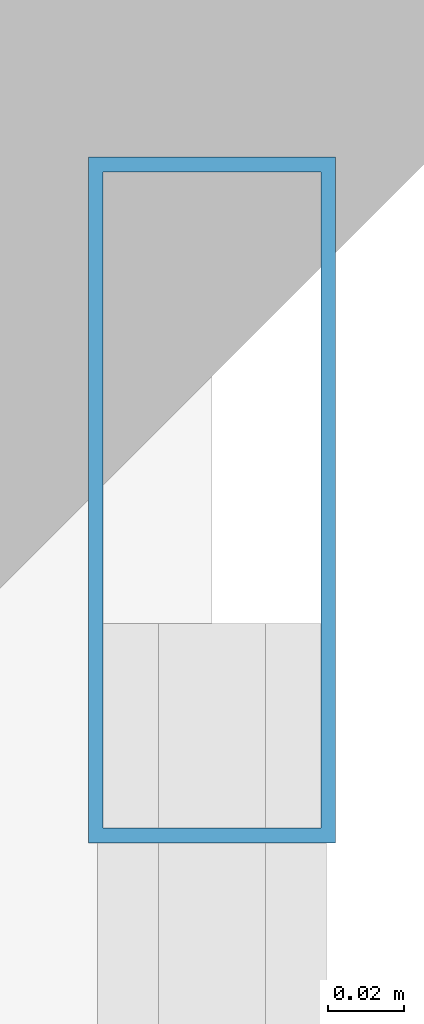
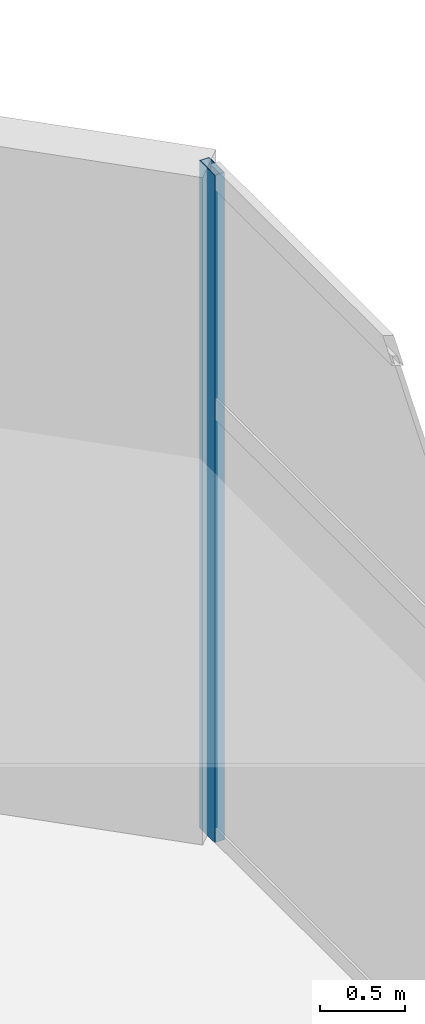
# One storey, part 14 of 23: 1 member, 1 element without a shape of its own.
"""IFC4 building model written with IfcOpenShell, lengths in metres."""

import ifcopenshell
import ifcopenshell.guid

model = None  # the IFC model being written
_history = None  # IfcOwnerHistory: only IFC2X3 demands one
_inside = {}  # id of a spatial element -> (the spatial element, [elements in it])
_under = {}  # id of a project, library or spatial element -> (it, [spatial elements below it])
_declared = {}  # id of a project -> (the project, [libraries it declares])
_typed = {}  # id of a type object -> (the type object, [elements of that type])
_made_of = {}  # id of a material, layer set ... -> (it, [elements and type objects made of it])


def new_model(schema):
    """Start an empty IFC model of exactly this schema.

    Asked for "IFC4X3", IfcOpenShell would pick the latest addendum, in which some entities
    have other attributes; the version numbers below select the first issue.
    IFC2X3 requires an IfcOwnerHistory on every rooted entity: one is made here for all.
    """
    global model, _history
    if schema == "IFC4X3":
        model = ifcopenshell.file(schema_version=(4, 3, 0, 0))
    else:
        model = ifcopenshell.file(schema=schema)
    _inside.clear()
    _under.clear()
    _declared.clear()
    _typed.clear()
    _made_of.clear()
    _history = None
    if model.schema == "IFC2X3":
        org = make("IfcOrganization", Name="unknown")
        user = make(
            "IfcPersonAndOrganization",
            ThePerson=make("IfcPerson", FamilyName="unknown"),
            TheOrganization=org,
        )
        app = make(
            "IfcApplication",
            ApplicationDeveloper=org,
            Version="unknown",
            ApplicationFullName="unknown",
            ApplicationIdentifier="unknown",
        )
        _history = make(
            "IfcOwnerHistory",
            OwningUser=user,
            OwningApplication=app,
            ChangeAction="ADDED",
            CreationDate=0,
        )
    return model


def make(cls, **values):
    """One entity of the class cls with the attributes given. An attribute that is None is left unset."""
    return model.create_entity(
        cls, **{name: value for name, value in values.items() if value is not None}
    )


def rooted(cls, **values):
    """An entity with a GlobalId (a new one), such as an element, a storey or a relation."""
    return make(cls, GlobalId=ifcopenshell.guid.new(), OwnerHistory=_history, **values)


def si_unit(unit_type, name, prefix=None):
    """IfcSIUnit, for example si_unit("LENGTHUNIT", "METRE", prefix="MILLI")."""
    return make("IfcSIUnit", UnitType=unit_type, Prefix=prefix, Name=name)


def assignment(units):
    """IfcUnitAssignment: the units of a project."""
    return None if units is None else make("IfcUnitAssignment", Units=units)


def point(xyz):
    """IfcCartesianPoint."""
    return None if xyz is None else make("IfcCartesianPoint", Coordinates=xyz)


def direction(xyz):
    """IfcDirection."""
    return None if xyz is None else make("IfcDirection", DirectionRatios=xyz)


def frame(location, z_axis=None, x_axis=None):
    """IfcAxis2Placement3D, a coordinate frame: its origin and axes. An axis left out is left unset."""
    return make(
        "IfcAxis2Placement3D",
        Location=point(location),
        Axis=direction(z_axis),
        RefDirection=direction(x_axis),
    )


def frame_2d(location, x_axis=None):
    """IfcAxis2Placement2D, a coordinate frame in the plane: its origin and x axis."""
    return make(
        "IfcAxis2Placement2D", Location=point(location), RefDirection=direction(x_axis)
    )


def origin():
    """The frame at (0, 0, 0) with its axes left unset."""
    return frame((0.0, 0.0, 0.0))


def origin_2d():
    """The frame at (0, 0) in the plane with its x axis left unset."""
    return frame_2d((0.0, 0.0))


def place(relative_to, where):
    """IfcLocalPlacement: puts the frame where relative to a parent placement (None: the world)."""
    return make(
        "IfcLocalPlacement", PlacementRelTo=relative_to, RelativePlacement=where
    )


def context(
    kind, dimensions, precision=None, world=None, true_north=None, identifier=None
):
    """IfcGeometricRepresentationContext, for example the 3D "Model" context."""
    return make(
        "IfcGeometricRepresentationContext",
        ContextIdentifier=identifier,
        ContextType=kind,
        CoordinateSpaceDimension=dimensions,
        Precision=precision,
        WorldCoordinateSystem=world,
        TrueNorth=true_north,
    )


def subcontext(parent, identifier, kind, view, scale=None):
    """IfcGeometricRepresentationSubContext, for example "Body" below "Model"."""
    return make(
        "IfcGeometricRepresentationSubContext",
        ContextIdentifier=identifier,
        ContextType=kind,
        ParentContext=parent,
        TargetScale=scale,
        TargetView=view,
    )


def project(units=None, contexts=None):
    """IfcProject with its units and contexts."""
    return rooted(
        "IfcProject",
        Name="project",
        RepresentationContexts=contexts,
        UnitsInContext=assignment(units),
    )


def spatial(cls, under=None, at=None, **own):
    """A site, building, storey or space (cls), placed at a placement, below another one or the project."""
    s = rooted(cls, ObjectPlacement=at, **own)
    if under is not None:
        _under.setdefault(under.id(), (under, []))[1].append(s)
    return s


def profile(cls, at=None, kind="AREA", **sizes):
    """A parametric profile (cls). Its sizes go by their IFC names, for example OverallWidth=200.0."""
    return make(cls, ProfileType=kind, Position=at, **sizes)


def hollow_rectangle(**sizes):
    """IfcRectangleHollowProfileDef."""
    return profile("IfcRectangleHollowProfileDef", **sizes)


def extrude(swept, where, along, depth):
    """IfcExtrudedAreaSolid: the profile swept, set in the frame where, extruded along a direction by depth."""
    return make(
        "IfcExtrudedAreaSolid",
        SweptArea=swept,
        Position=where,
        ExtrudedDirection=direction(along),
        Depth=depth,
    )


def shape(context_of_items, identifier, shape_type, items):
    """IfcShapeRepresentation: the items that make up one representation, for example the "Body"."""
    return make(
        "IfcShapeRepresentation",
        ContextOfItems=context_of_items,
        RepresentationIdentifier=identifier,
        RepresentationType=shape_type,
        Items=items,
    )


def material(Name=None, Category=None):
    """IfcMaterial."""
    return make("IfcMaterial", Name=Name, Category=Category)


def layer(
    of_material, thickness, ventilated=None, Name=None, Category=None, Priority=None
):
    """IfcMaterialLayer: one layer of a wall or slab, of a material (None: an air gap)."""
    return make(
        "IfcMaterialLayer",
        Material=of_material,
        LayerThickness=thickness,
        IsVentilated=ventilated,
        Name=Name,
        Category=Category,
        Priority=Priority,
    )


def layer_set(layers, Name=None):
    """IfcMaterialLayerSet."""
    return make("IfcMaterialLayerSet", MaterialLayers=layers, LayerSetName=Name)


def material_profile(
    of_material, cross_section, Name=None, Category=None, Priority=None
):
    """IfcMaterialProfile: a cross section and its material."""
    return make(
        "IfcMaterialProfile",
        Name=Name,
        Material=of_material,
        Profile=cross_section,
        Priority=Priority,
        Category=Category,
    )


def profile_set(profiles, Name=None, composite=None):
    """IfcMaterialProfileSet."""
    return make(
        "IfcMaterialProfileSet",
        Name=Name,
        MaterialProfiles=profiles,
        CompositeProfile=composite,
    )


def made_of(thing, what):
    """Note that an element or type object is made of a material, layer set ...; save() writes the relation."""
    if what is not None:
        _made_of.setdefault(what.id(), (what, []))[1].append(thing)
    return thing


def type_object(cls, material=None, **own):
    """A type object (cls), such as IfcWallType, which elements share."""
    return made_of(rooted(cls, **own), material)


def element(
    cls,
    number,
    at=None,
    inside=None,
    cuts=None,
    type_object=None,
    material=None,
    context=None,
    identifier="Body",
    shape_type=None,
    held_by="IfcProductDefinitionShape",
    body=None,
    shapes=None,
    **own,
):
    """One element of the class cls, such as IfcWall. Its Tag is "e" and its number.

    at: its placement. inside: the storey or other place that contains it. cuts: it is an
    opening in that element (IfcRelVoidsElement). A single representation is given by context,
    identifier, shape_type and body (its items); several are given by shapes. held_by: the class
    of the entity that holds the representations. save() writes the other relations.
    """
    e = rooted(cls, Tag="e%d" % number, ObjectPlacement=at, **own)
    if body is not None:
        shapes = [shape(context, identifier, shape_type, body)]
    if shapes is not None:
        e.Representation = make(held_by, Representations=shapes)
    if inside is not None:
        _inside.setdefault(inside.id(), (inside, []))[1].append(e)
    if cuts is not None:
        rooted(
            "IfcRelVoidsElement", RelatingBuildingElement=cuts, RelatedOpeningElement=e
        )
    if type_object is not None:
        _typed.setdefault(type_object.id(), (type_object, []))[1].append(e)
    return made_of(e, material)


def aggregate(whole, parts):
    """IfcRelAggregates: a whole, such as a stair, and the parts it consists of."""
    return rooted("IfcRelAggregates", RelatingObject=whole, RelatedObjects=parts)


def save(model, path):
    """Write the relations noted so far, then the file.

    IfcRelAggregates (storeys below a building ...), IfcRelContainedInSpatialStructure (elements
    in a storey), IfcRelDefinesByType, IfcRelAssociatesMaterial and IfcRelDeclares: one each for
    every whole, place, type object, material and project.
    """
    for whole, parts in _under.values():
        aggregate(whole, parts)
    for where, things in _inside.values():
        rooted(
            "IfcRelContainedInSpatialStructure",
            RelatedElements=things,
            RelatingStructure=where,
        )
    for kind, things in _typed.values():
        rooted("IfcRelDefinesByType", RelatedObjects=things, RelatingType=kind)
    for what, things in _made_of.values():
        rooted("IfcRelAssociatesMaterial", RelatedObjects=things, RelatingMaterial=what)
    for by, libraries in _declared.values():
        rooted("IfcRelDeclares", RelatingContext=by, RelatedDefinitions=libraries)
    model.write(path)


model = new_model("IFC4")

# Units and contexts
model_context = context("Model", 3, precision=1e-05, world=origin(), true_north=direction((0.0, 1.0)))
body_context = subcontext(model_context, "Body", "Model", "MODEL_VIEW")
ifc_project = project(units=[si_unit("LENGTHUNIT", "METRE"), si_unit("AREAUNIT", "SQUARE_METRE"), si_unit("VOLUMEUNIT", "CUBIC_METRE"), si_unit("PLANEANGLEUNIT", "RADIAN"), si_unit("MASSUNIT", "GRAM", prefix="KILO")], contexts=[model_context])

# Site, building, storey
site_placement = place(None, origin())
site = spatial("IfcSite", under=ifc_project, at=site_placement, CompositionType="ELEMENT")
building_placement = place(site_placement, origin())
building = spatial("IfcBuilding", under=site, at=building_placement, Name="Mawjaban Terraces University", CompositionType="ELEMENT")
storey_placement = place(building_placement, frame((0.0, 0.0, 98.39990234375)))
storey = spatial("IfcBuildingStorey", under=building, at=storey_placement, Name="L23", CompositionType="ELEMENT", Elevation=98.39990234375)

# Curtain wall, member
ifc_material_1 = material(Name="Anodised aluminium 6063-T6 and solar-control low-E glass", Category="aluminium")
ifc_layer = layer(ifc_material_1, 0.18994140625)
ifc_layer_set = layer_set([ifc_layer], Name="Anodised aluminium 6063-T6 and solar-control low-E glass")
curtain_wall_type = type_object("IfcCurtainWallType", Name="CWSystem_05_SkyLobby", PredefinedType="NOTDEFINED", material=ifc_layer_set)
curtain_wall_placement = place(storey_placement, origin())
curtain_wall = element("IfcCurtainWall", 1, at=curtain_wall_placement, inside=storey, type_object=curtain_wall_type, Name="L23 Curtain Wall CW-05 Run 6.1", PredefinedType="NOTDEFINED")
ifc_material_2 = material(Name="Anodised aluminium 6063-T6", Category="aluminium")
ifc_material_profile = material_profile(ifc_material_2, hollow_rectangle(XDim=0.06494140625, YDim=0.179931640625, WallThickness=0.00390625, at=origin_2d()), Name="ALU180X65X4")
ifc_profile_set = profile_set([ifc_material_profile], Name="Anodised aluminium 6063-T6")
member_type = type_object("IfcMemberType", Name="Mullion_CW-05", PredefinedType="MULLION", material=ifc_profile_set)
member_placement = place(storey_placement, frame((52.800048828125, 25.867431640625, 0.0), z_axis=(0.0, 0.0, 1.0), x_axis=(-1.0, 0.0, 0.0)))
member = element("IfcMember", 2, at=member_placement, type_object=member_type, Name="CW-05 mullion 3", PredefinedType="MULLION", context=body_context, shape_type="SweptSolid", body=[
    extrude(hollow_rectangle(XDim=0.06494140625, YDim=0.179931640625, WallThickness=0.00390625, at=origin_2d()), origin(), (0.0, 0.0, 1.0), 4.7900390625),
])
aggregate(curtain_wall, [member])

save(model, "model.ifc")
